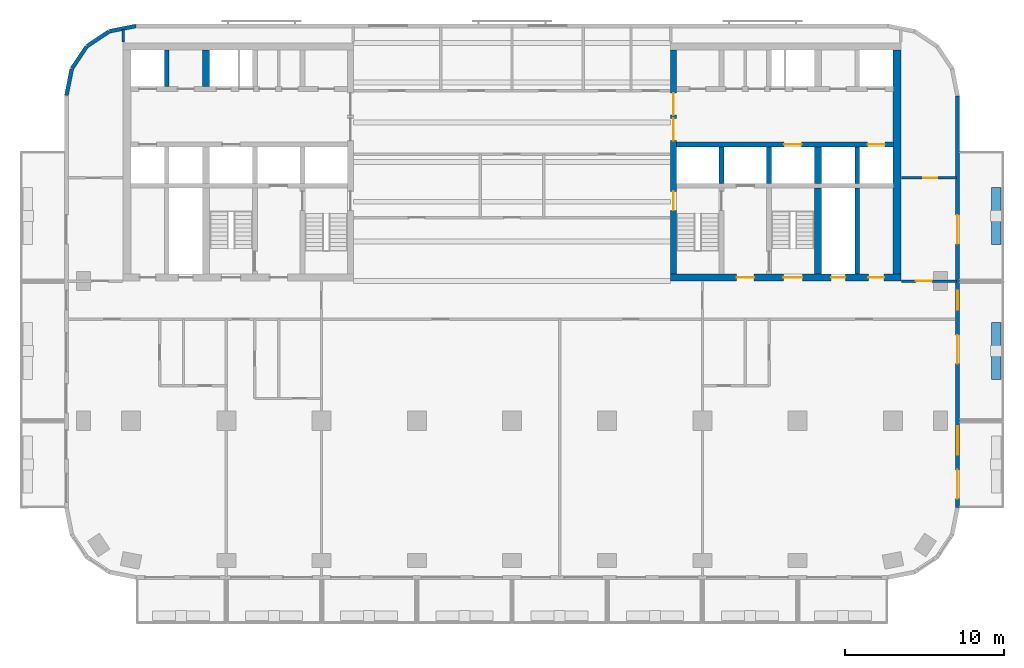
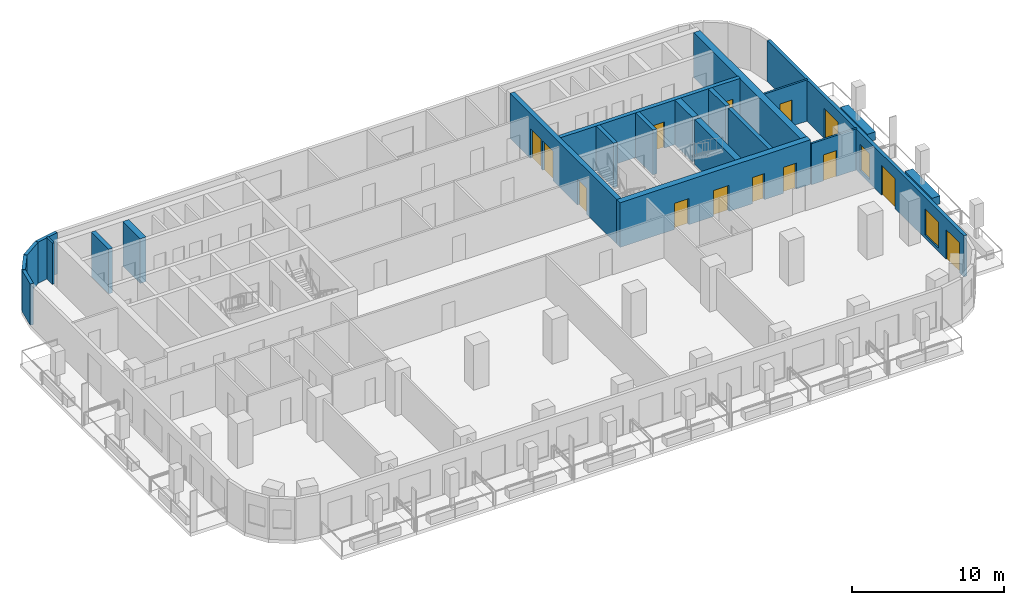
# One storey, part 5 of 11: 22 walls, 14 doors, 2 windows, 16 openings.
"""IFC4 building model written with IfcOpenShell, lengths in metres."""

from ifc_helpers import new_model, si_unit, direction, frame, frame_2d, origin, place, context, subcontext, project, spatial, rectangle, extrude, material, layer, layer_set, type_object, element, fill, save


model = new_model("IFC4")

# Units and contexts
model_context = context("Model", 3, precision=1e-05, world=origin(), true_north=direction((0.0, 1.0)))
body_context = subcontext(model_context, "Body", "Model", "MODEL_VIEW")
ifc_project = project(units=[si_unit("LENGTHUNIT", "METRE"), si_unit("AREAUNIT", "SQUARE_METRE"), si_unit("VOLUMEUNIT", "CUBIC_METRE"), si_unit("PLANEANGLEUNIT", "RADIAN"), si_unit("MASSUNIT", "GRAM", prefix="KILO")], contexts=[model_context])

# Site, building, storey
site_placement = place(None, origin())
site = spatial("IfcSite", under=ifc_project, at=site_placement, CompositionType="ELEMENT")
building_placement = place(site_placement, origin())
building = spatial("IfcBuilding", under=site, at=building_placement, Name="Torana Hotel and Residences", CompositionType="ELEMENT")
storey_placement = place(building_placement, frame((0.0, 0.0, 166.800048828125)))
storey = spatial("IfcBuildingStorey", under=building, at=storey_placement, Name="L43", CompositionType="ELEMENT", Elevation=166.800048828125)

# Wall
ifc_material_1 = material(Name="Concrete C70/85", Category="concrete")
ifc_layer_1 = layer(ifc_material_1, 0.300048828125)
ifc_layer_set_1 = layer_set([ifc_layer_1], Name="CORE WALL 300 C70/85")
wall_type_1 = type_object("IfcWallType", Name="CORE WALL 300 C70/85", PredefinedType="SHEAR", material=ifc_layer_set_1)
wall_1_placement = place(storey_placement, frame((-21.75, -2.75, 0.0), z_axis=(0.0, 0.0, 1.0), x_axis=(0.0, 1.0, 0.0)))
element("IfcWall", 1, at=wall_1_placement, inside=storey, type_object=wall_type_1, Name="Core wall W mm-N", PredefinedType="SHEAR", context=body_context, shape_type="SweptSolid", body=[
    extrude(rectangle(XDim=2.300048828125, YDim=0.300048828125, at=frame_2d((1.14990234375, 0.0))), origin(), (0.0, 0.0, 1.0), 3.599853515625),
])

# Wall, openings, doors
wall_2_placement = place(storey_placement, frame((10.35009765625, -6.39990234375, 0.0), z_axis=(0.0, 0.0, 1.0), x_axis=(1.0, 0.0, 0.0)))
wall_2 = element("IfcWall", 2, at=wall_2_placement, inside=storey, type_object=wall_type_1, Name="Core wall E row-S", PredefinedType="SHEAR", context=body_context, shape_type="SweptSolid", body=[
    extrude(rectangle(XDim=13.699951171875, YDim=0.300048828125, at=frame_2d((6.85009765625, 0.0))), origin(), (0.0, 0.0, 1.0), 3.599853515625),
])
opening_1_placement = place(wall_2_placement, frame((12.050048828125, 0.0, 0.0)))
opening_1 = element("IfcOpeningElement", 3, at=opening_1_placement, cuts=wall_2, Name="Opening LD", PredefinedType="OPENING", context=body_context, shape_type="SweptSolid", body=[
    extrude(rectangle(XDim=1.10009765625, YDim=2.10009765625, at=frame_2d((0.550048828125, 1.050048828125))), frame((0.0, 0.159912109375, 0.0), z_axis=(0.0, -1.0, 0.0), x_axis=(1.0, 0.0, 0.0)), (0.0, 0.0, 1.0), 0.320068359375),
])
opening_2_placement = place(wall_2_placement, frame((6.800048828125, 0.0, 0.0)))
opening_2 = element("IfcOpeningElement", 4, at=opening_2_placement, cuts=wall_2, Name="Opening LD", PredefinedType="OPENING", context=body_context, shape_type="SweptSolid", body=[
    extrude(rectangle(XDim=1.10009765625, YDim=2.10009765625, at=frame_2d((0.550048828125, 1.050048828125))), frame((0.0, 0.159912109375, 0.0), z_axis=(0.0, -1.0, 0.0), x_axis=(1.0, 0.0, 0.0)), (0.0, 0.0, 1.0), 0.320068359375),
])
ifc_material_2 = material(Name="Stainless steel 316", Category="steel")
door_type_1 = type_object("IfcDoorType", Name="LIFT LANDING DOOR LD 1100x2100", OperationType="DOUBLE_DOOR_SLIDING", PredefinedType="USERDEFINED", material=ifc_material_2)
door_1_placement = place(opening_1_placement, origin())
door_1 = element("IfcDoor", 5, at=door_1_placement, inside=storey, type_object=door_type_1, Name="Lift landing door M4 L43", ObjectType="LIFT LANDING DOOR", OperationType="DOUBLE_DOOR_SLIDING", OverallHeight=2.10009765625, OverallWidth=1.10009765625, PredefinedType="USERDEFINED", context=body_context, shape_type="SweptSolid", body=[
    extrude(rectangle(XDim=1.10009765625, YDim=2.10009765625, at=frame_2d((0.550048828125, 1.050048828125))), frame((0.0, 0.02490234375, 0.0), z_axis=(0.0, -1.0, 0.0), x_axis=(1.0, 0.0, 0.0)), (0.0, 0.0, 1.0), 0.050048828125),
])
fill(opening_1, door_1)
door_2_placement = place(opening_2_placement, origin())
door_2 = element("IfcDoor", 6, at=door_2_placement, inside=storey, type_object=door_type_1, Name="Lift landing door SV2 L43", ObjectType="LIFT LANDING DOOR", OperationType="DOUBLE_DOOR_SLIDING", OverallHeight=2.10009765625, OverallWidth=1.10009765625, PredefinedType="USERDEFINED", context=body_context, shape_type="SweptSolid", body=[
    extrude(rectangle(XDim=1.10009765625, YDim=2.10009765625, at=frame_2d((0.550048828125, 1.050048828125))), frame((0.0, 0.02490234375, 0.0), z_axis=(0.0, -1.0, 0.0), x_axis=(1.0, 0.0, 0.0)), (0.0, 0.0, 1.0), 0.050048828125),
])
fill(opening_2, door_2)

# Walls
for number, where, z_axis, x_axis, name in (
    (7, (13.199951171875, -8.85009765625, 0.0), (0.0, 0.0, 1.0), (0.0, 1.0, 0.0), "Core wall E x3.05-S"),
    (8, (16.199951171875, -8.85009765625, 0.0), (0.0, 0.0, 1.0), (0.0, 1.0, 0.0), "Core wall E x6.05-S"),
    (9, (21.75, -8.85009765625, 0.0), (0.0, 0.0, 1.0), (0.0, 1.0, 0.0), "Core wall E mm-S"),
):
    element("IfcWall", number, at=place(storey_placement, frame(where, z_axis=z_axis, x_axis=x_axis)), inside=storey, type_object=wall_type_1, Name=name, PredefinedType="SHEAR", context=body_context, shape_type="SweptSolid", body=[
        extrude(rectangle(XDim=2.300048828125, YDim=0.300048828125, at=frame_2d((1.14990234375, 0.0))), origin(), (0.0, 0.0, 1.0), 3.599853515625),
    ])
wall_3_placement = place(storey_placement, frame((21.75, -14.550048828125, 0.0), z_axis=(0.0, 0.0, 1.0), x_axis=(0.0, 1.0, 0.0)))
element("IfcWall", 10, at=wall_3_placement, inside=storey, type_object=wall_type_1, Name="Core wall E mm-band", PredefinedType="SHEAR", context=body_context, shape_type="SweptSolid", body=[
    extrude(rectangle(XDim=5.400146484375, YDim=0.300048828125, at=frame_2d((2.7001953125, 0.0))), origin(), (0.0, 0.0, 1.0), 3.599853515625),
])

# Wall, openings, doors
ifc_material_3 = material(Name="Concrete C70/85", Category="concrete")
ifc_layer_2 = layer(ifc_material_3, 0.35009765625)
ifc_layer_set_2 = layer_set([ifc_layer_2], Name="CORE WALL 350 C70/85")
wall_type_2 = type_object("IfcWallType", Name="CORE WALL 350 C70/85", PredefinedType="SHEAR", material=ifc_layer_set_2)
wall_4_placement = place(storey_placement, frame((10.175048828125, -14.550048828125, 0.0), z_axis=(0.0, 0.0, 1.0), x_axis=(0.0, 1.0, 0.0)))
wall_4 = element("IfcWall", 11, at=wall_4_placement, inside=storey, type_object=wall_type_2, Name="Core wall E arch", PredefinedType="SHEAR", context=body_context, shape_type="SweptSolid", body=[
    extrude(rectangle(XDim=14.10009765625, YDim=0.35009765625, at=frame_2d((7.050048828125, 0.0))), origin(), (0.0, 0.0, 1.0), 3.599853515625),
])
opening_3_placement = place(wall_4_placement, frame((8.39990234375, 0.0, 0.0)))
opening_3 = element("IfcOpeningElement", 12, at=opening_3_placement, cuts=wall_4, Name="Opening L43-16", PredefinedType="OPENING", context=body_context, shape_type="SweptSolid", body=[
    extrude(rectangle(XDim=1.39990234375, YDim=2.39990234375, at=frame_2d((0.699951171875, 1.199951171875))), frame((0.0, 0.18505859375, 0.0), z_axis=(0.0, -1.0, 0.0), x_axis=(1.0, 0.0, 0.0)), (0.0, 0.0, 1.0), 0.3701171875),
])
opening_4_placement = place(wall_4_placement, frame((10.0, 0.0, 0.0)))
opening_4 = element("IfcOpeningElement", 13, at=opening_4_placement, cuts=wall_4, Name="Opening L43-17", PredefinedType="OPENING", context=body_context, shape_type="SweptSolid", body=[
    extrude(rectangle(XDim=1.39990234375, YDim=2.39990234375, at=frame_2d((0.699951171875, 1.199951171875))), frame((0.0, 0.18505859375, 0.0), z_axis=(0.0, -1.0, 0.0), x_axis=(1.0, 0.0, 0.0)), (0.0, 0.0, 1.0), 0.3701171875),
])
opening_5_placement = place(wall_4_placement, frame((4.0, 0.0, 0.0)))
opening_5 = element("IfcOpeningElement", 14, at=opening_5_placement, cuts=wall_4, Name="Opening L43-18", PredefinedType="OPENING", context=body_context, shape_type="SweptSolid", body=[
    extrude(rectangle(XDim=1.199951171875, YDim=2.10009765625, at=frame_2d((0.60009765625, 1.050048828125))), frame((0.0, 0.18505859375, 0.0), z_axis=(0.0, -1.0, 0.0), x_axis=(1.0, 0.0, 0.0)), (0.0, 0.0, 1.0), 0.3701171875),
])
ifc_material_4 = material(Name="Steel S235", Category="steel")
door_type_2 = type_object("IfcDoorType", Name="LOBBY FIRE DOOR D4 1400x2400", OperationType="DOUBLE_DOOR_SINGLE_SWING", PredefinedType="DOOR", material=ifc_material_4)
door_3_placement = place(opening_3_placement, origin())
door_3 = element("IfcDoor", 15, at=door_3_placement, inside=storey, type_object=door_type_2, Name="Lobby-1 door L43", OperationType="DOUBLE_DOOR_SINGLE_SWING", OverallHeight=2.39990234375, OverallWidth=1.39990234375, PredefinedType="DOOR", context=body_context, shape_type="SweptSolid", body=[
    extrude(rectangle(XDim=1.39990234375, YDim=2.39990234375, at=frame_2d((0.699951171875, 1.199951171875))), frame((0.0, 0.02490234375, 0.0), z_axis=(0.0, -1.0, 0.0), x_axis=(1.0, 0.0, 0.0)), (0.0, 0.0, 1.0), 0.050048828125),
])
fill(opening_3, door_3)
door_4_placement = place(opening_4_placement, origin())
door_4 = element("IfcDoor", 16, at=door_4_placement, inside=storey, type_object=door_type_2, Name="Lobby-2 door L43", OperationType="DOUBLE_DOOR_SINGLE_SWING", OverallHeight=2.39990234375, OverallWidth=1.39990234375, PredefinedType="DOOR", context=body_context, shape_type="SweptSolid", body=[
    extrude(rectangle(XDim=1.39990234375, YDim=2.39990234375, at=frame_2d((0.699951171875, 1.199951171875))), frame((0.0, 0.02490234375, 0.0), z_axis=(0.0, -1.0, 0.0), x_axis=(1.0, 0.0, 0.0)), (0.0, 0.0, 1.0), 0.050048828125),
])
fill(opening_4, door_4)
ifc_material_5 = material(Name="Steel S235", Category="steel")
door_type_3 = type_object("IfcDoorType", Name="STAIR FIRE DOOR D3 1200x2100", OperationType="SINGLE_SWING_LEFT", PredefinedType="DOOR", material=ifc_material_5)
door_5_placement = place(opening_5_placement, frame((0.60009765625, 0.0, 0.0), z_axis=(0.0, 0.0, 1.0), x_axis=(-1.0, 0.0, 0.0)))
door_5 = element("IfcDoor", 17, at=door_5_placement, inside=storey, type_object=door_type_3, Name="Stair-A door L43", OperationType="SINGLE_SWING_RIGHT", OverallHeight=2.10009765625, OverallWidth=1.199951171875, PredefinedType="DOOR", context=body_context, shape_type="SweptSolid", body=[
    extrude(rectangle(XDim=1.199951171875, YDim=2.10009765625, at=frame_2d((0.0, 1.050048828125))), frame((0.0, -0.02490234375, 0.0), z_axis=(0.0, 1.0, 0.0), x_axis=(-1.0, 0.0, 0.0)), (0.0, 0.0, 1.0), 0.050048828125),
])
fill(opening_5, door_5)

# Wall
ifc_material_6 = material(Name="Concrete C70/85", Category="concrete")
ifc_layer_3 = layer(ifc_material_6, 0.449951171875)
ifc_layer_set_3 = layer_set([ifc_layer_3], Name="CORE WALL 450 C70/85")
wall_type_3 = type_object("IfcWallType", Name="CORE WALL 450 C70/85", PredefinedType="SHEAR", material=ifc_layer_set_3)
wall_5_placement = place(storey_placement, frame((-19.27490234375, -2.75, 0.0), z_axis=(0.0, 0.0, 1.0), x_axis=(0.0, 1.0, 0.0)))
element("IfcWall", 18, at=wall_5_placement, inside=storey, type_object=wall_type_3, Name="Core wall W hm-N", PredefinedType="SHEAR", context=body_context, shape_type="SweptSolid", body=[
    extrude(rectangle(XDim=2.300048828125, YDim=0.449951171875, at=frame_2d((1.14990234375, 0.0))), origin(), (0.0, 0.0, 1.0), 3.599853515625),
])

# Wall, openings, doors
wall_6_placement = place(storey_placement, frame((10.0, -14.77490234375, 0.0), z_axis=(0.0, 0.0, 1.0), x_axis=(1.0, 0.0, 0.0)))
wall_6 = element("IfcWall", 19, at=wall_6_placement, inside=storey, type_object=wall_type_3, Name="Core wall E front", PredefinedType="SHEAR", context=body_context, shape_type="SweptSolid", body=[
    extrude(rectangle(XDim=14.5, YDim=0.449951171875, at=frame_2d((7.25, 0.0))), origin(), (0.0, 0.0, 1.0), 3.599853515625),
])
opening_6_placement = place(wall_6_placement, frame((7.10009765625, 0.0, 0.0)))
opening_6 = element("IfcOpeningElement", 20, at=opening_6_placement, cuts=wall_6, Name="Opening L43-19", PredefinedType="OPENING", context=body_context, shape_type="SweptSolid", body=[
    extrude(rectangle(XDim=1.199951171875, YDim=2.10009765625, at=frame_2d((0.60009765625, 1.050048828125))), frame((0.0, 0.23486328125, 0.0), z_axis=(0.0, -1.0, 0.0), x_axis=(1.0, 0.0, 0.0)), (0.0, 0.0, 1.0), 0.469970703125),
])
opening_7_placement = place(wall_6_placement, frame((4.14990234375, 0.0, 0.0)))
opening_7 = element("IfcOpeningElement", 21, at=opening_7_placement, cuts=wall_6, Name="Opening L43-20", PredefinedType="OPENING", context=body_context, shape_type="SweptSolid", body=[
    extrude(rectangle(XDim=1.10009765625, YDim=2.10009765625, at=frame_2d((0.550048828125, 1.050048828125))), frame((0.0, 0.23486328125, 0.0), z_axis=(0.0, -1.0, 0.0), x_axis=(1.0, 0.0, 0.0)), (0.0, 0.0, 1.0), 0.469970703125),
])
opening_8_placement = place(wall_6_placement, frame((10.10009765625, 0.0, 0.0)))
opening_8 = element("IfcOpeningElement", 22, at=opening_8_placement, cuts=wall_6, Name="Opening L43-21", PredefinedType="OPENING", context=body_context, shape_type="SweptSolid", body=[
    extrude(rectangle(XDim=0.89990234375, YDim=2.10009765625, at=frame_2d((0.449951171875, 1.050048828125))), frame((0.0, 0.23486328125, 0.0), z_axis=(0.0, -1.0, 0.0), x_axis=(1.0, 0.0, 0.0)), (0.0, 0.0, 1.0), 0.469970703125),
])
opening_9_placement = place(wall_6_placement, frame((12.449951171875, 0.0, 0.0)))
opening_9 = element("IfcOpeningElement", 23, at=opening_9_placement, cuts=wall_6, Name="Opening L43-22", PredefinedType="OPENING", context=body_context, shape_type="SweptSolid", body=[
    extrude(rectangle(XDim=1.0, YDim=2.10009765625, at=frame_2d((0.5, 1.050048828125))), frame((0.0, 0.23486328125, 0.0), z_axis=(0.0, -1.0, 0.0), x_axis=(1.0, 0.0, 0.0)), (0.0, 0.0, 1.0), 0.469970703125),
])
ifc_material_7 = material(Name="Steel S235", Category="steel")
door_type_4 = type_object("IfcDoorType", Name="CORE ROOM FIRE DOOR D14 1000x2100", OperationType="SINGLE_SWING_LEFT", PredefinedType="DOOR", material=ifc_material_7)
door_6_placement = place(opening_9_placement, origin())
door_6 = element("IfcDoor", 24, at=door_6_placement, inside=storey, type_object=door_type_4, Name="M-Room door L43", OperationType="SINGLE_SWING_RIGHT", OverallHeight=2.10009765625, OverallWidth=1.0, PredefinedType="DOOR", context=body_context, shape_type="SweptSolid", body=[
    extrude(rectangle(XDim=1.0, YDim=2.10009765625, at=frame_2d((0.5, 1.050048828125))), frame((0.0, 0.02490234375, 0.0), z_axis=(0.0, -1.0, 0.0), x_axis=(1.0, 0.0, 0.0)), (0.0, 0.0, 1.0), 0.050048828125),
])
fill(opening_9, door_6)
ifc_material_8 = material(Name="Steel S235", Category="steel")
door_type_5 = type_object("IfcDoorType", Name="FIRE-FIGHTING LOBBY DOOR D8 1100x2100", OperationType="SINGLE_SWING_LEFT", PredefinedType="DOOR", material=ifc_material_8)
door_7_placement = place(opening_7_placement, origin())
door_7 = element("IfcDoor", 25, at=door_7_placement, inside=storey, type_object=door_type_5, Name="FF-lobby door L43", OperationType="SINGLE_SWING_RIGHT", OverallHeight=2.10009765625, OverallWidth=1.10009765625, PredefinedType="DOOR", context=body_context, shape_type="SweptSolid", body=[
    extrude(rectangle(XDim=1.10009765625, YDim=2.10009765625, at=frame_2d((0.550048828125, 1.050048828125))), frame((0.0, 0.02490234375, 0.0), z_axis=(0.0, -1.0, 0.0), x_axis=(1.0, 0.0, 0.0)), (0.0, 0.0, 1.0), 0.050048828125),
])
fill(opening_7, door_7)
ifc_material_9 = material(Name="Steel S235", Category="steel")
door_type_6 = type_object("IfcDoorType", Name="RISER ACCESS DOOR D5 900x2100", OperationType="SINGLE_SWING_LEFT", PredefinedType="DOOR", material=ifc_material_9)
door_8_placement = place(opening_8_placement, origin())
door_8 = element("IfcDoor", 26, at=door_8_placement, inside=storey, type_object=door_type_6, Name="M-Riser door L43", OperationType="SINGLE_SWING_RIGHT", OverallHeight=2.10009765625, OverallWidth=0.89990234375, PredefinedType="DOOR", context=body_context, shape_type="SweptSolid", body=[
    extrude(rectangle(XDim=0.89990234375, YDim=2.10009765625, at=frame_2d((0.449951171875, 1.050048828125))), frame((0.0, 0.02490234375, 0.0), z_axis=(0.0, -1.0, 0.0), x_axis=(1.0, 0.0, 0.0)), (0.0, 0.0, 1.0), 0.050048828125),
])
fill(opening_8, door_8)
door_9_placement = place(opening_6_placement, origin())
door_9 = element("IfcDoor", 27, at=door_9_placement, inside=storey, type_object=door_type_3, Name="Stair-B door L43", OperationType="SINGLE_SWING_RIGHT", OverallHeight=2.10009765625, OverallWidth=1.199951171875, PredefinedType="DOOR", context=body_context, shape_type="SweptSolid", body=[
    extrude(rectangle(XDim=1.199951171875, YDim=2.10009765625, at=frame_2d((0.60009765625, 1.050048828125))), frame((0.0, 0.02490234375, 0.0), z_axis=(0.0, -1.0, 0.0), x_axis=(1.0, 0.0, 0.0)), (0.0, 0.0, 1.0), 0.050048828125),
])
fill(opening_6, door_9)

# Walls
wall_7_placement = place(storey_placement, frame((19.27490234375, -8.85009765625, 0.0), z_axis=(0.0, 0.0, 1.0), x_axis=(0.0, 1.0, 0.0)))
element("IfcWall", 28, at=wall_7_placement, inside=storey, type_object=wall_type_3, Name="Core wall E hm-S", PredefinedType="SHEAR", context=body_context, shape_type="SweptSolid", body=[
    extrude(rectangle(XDim=2.300048828125, YDim=0.449951171875, at=frame_2d((1.14990234375, 0.0))), origin(), (0.0, 0.0, 1.0), 3.599853515625),
])
wall_8_placement = place(storey_placement, frame((19.27490234375, -14.550048828125, 0.0), z_axis=(0.0, 0.0, 1.0), x_axis=(0.0, 1.0, 0.0)))
element("IfcWall", 29, at=wall_8_placement, inside=storey, type_object=wall_type_3, Name="Core wall E hm-band", PredefinedType="SHEAR", context=body_context, shape_type="SweptSolid", body=[
    extrude(rectangle(XDim=5.400146484375, YDim=0.449951171875, at=frame_2d((2.7001953125, 0.0))), origin(), (0.0, 0.0, 1.0), 3.599853515625),
])
ifc_material_10 = material(Name="Concrete C70/85", Category="concrete")
ifc_layer_4 = layer(ifc_material_10, 0.5)
ifc_layer_set_4 = layer_set([ifc_layer_4], Name="CORE WALL 500 C70/85")
wall_type_4 = type_object("IfcWallType", Name="CORE WALL 500 C70/85", PredefinedType="SHEAR", material=ifc_layer_set_4)
wall_9_placement = place(storey_placement, frame((24.25, -14.550048828125, 0.0), z_axis=(0.0, 0.0, 1.0), x_axis=(0.0, 1.0, 0.0)))
element("IfcWall", 30, at=wall_9_placement, inside=storey, type_object=wall_type_4, Name="Core wall E outer", PredefinedType="SHEAR", context=body_context, shape_type="SweptSolid", body=[
    extrude(rectangle(XDim=14.10009765625, YDim=0.5, at=frame_2d((7.050048828125, 0.0))), origin(), (0.0, 0.0, 1.0), 3.599853515625),
])
ifc_material_11 = material(Name="Black aluminium composite panel", Category="aluminium")
ifc_layer_5 = layer(ifc_material_11, 0.00390625, Name="Cladding", Category="cladding")
ifc_material_12 = material(Name="Ventilated air cavity")
ifc_layer_6 = layer(ifc_material_12, 0.0400390625, Name="Ventilated cavity", Category="cavity")
ifc_material_13 = material(Name="Mineral wool insulation")
ifc_layer_7 = layer(ifc_material_13, 0.090087890625, Name="Insulation", Category="insulation")
ifc_material_14 = material(Name="Steel S280GD", Category="steel")
ifc_layer_8 = layer(ifc_material_14, 0.092041015625, Name="Steel stud frame", Category="structure")
ifc_material_15 = material(Name="Fire rated plasterboard")
ifc_layer_9 = layer(ifc_material_15, 0.011962890625, Name="Inner board", Category="finish")
ifc_layer_10 = layer(ifc_material_15, 0.011962890625, Name="Second board", Category="finish")
ifc_layer_set_5 = layer_set([ifc_layer_5, ifc_layer_6, ifc_layer_7, ifc_layer_8, ifc_layer_9, ifc_layer_10], Name="EW1 EXTERNAL WALL BLACK METAL CLAD 250")
wall_type_5 = type_object("IfcWallType", Name="EW1 EXTERNAL WALL BLACK METAL CLAD 250", PredefinedType="SOLIDWALL", material=ifc_layer_set_5)
wall_10_placement = place(storey_placement, frame((-23.69970703125, 1.072509765625, 0.0), z_axis=(0.0, 0.0, 1.0), x_axis=(-0.980803419081, -0.194999110559, 0.0)))
element("IfcWall", 31, at=wall_10_placement, inside=storey, type_object=wall_type_5, Name="External wall L43 e0.5", PredefinedType="SOLIDWALL", context=body_context, shape_type="SweptSolid", body=[
    extrude(rectangle(XDim=1.681396484375, YDim=0.25, at=frame_2d((0.8408203125, 0.0))), origin(), (0.0, 0.0, 1.0), 3.320068359375),
])
for number, where, z_axis, x_axis, name in (
    (32, (-25.39404296875, 0.725830078125, 0.0), (0.0, 0.0, 1.0), (-0.831482937015, -0.55555029066, 0.0), "External wall L43 e0.6"),
    (33, (-26.8056640625, -0.228759765625, 0.0), (0.0, 0.0, 1.0), (-0.55555029066, -0.831482937015, 0.0), "External wall L43 e0.7"),
):
    element("IfcWall", number, at=place(storey_placement, frame(where, z_axis=z_axis, x_axis=x_axis)), inside=storey, type_object=wall_type_5, Name=name, PredefinedType="SOLIDWALL", context=body_context, shape_type="SweptSolid", body=[
        extrude(rectangle(XDim=1.65625, YDim=0.25, at=frame_2d((0.828125, 0.0))), origin(), (0.0, 0.0, 1.0), 3.320068359375),
    ])
wall_11_placement = place(storey_placement, frame((-27.74462890625, -1.651123046875, 0.0), z_axis=(0.0, 0.0, 1.0), x_axis=(-0.194999110559, -0.980803419081, 0.0)))
element("IfcWall", 34, at=wall_11_placement, inside=storey, type_object=wall_type_5, Name="External wall L43 e0.8", PredefinedType="SOLIDWALL", context=body_context, shape_type="SweptSolid", body=[
    extrude(rectangle(XDim=1.681396484375, YDim=0.25, at=frame_2d((0.8408203125, 0.0))), origin(), (0.0, 0.0, 1.0), 3.320068359375),
])

# Wall, openings, doors, windows
wall_12_placement = place(storey_placement, frame((28.074951171875, -29.275390625, 0.0), z_axis=(0.0, 0.0, 1.0), x_axis=(0.0, 1.0, 0.0)))
wall_12 = element("IfcWall", 35, at=wall_12_placement, inside=storey, type_object=wall_type_5, Name="External wall L43 e0.19", PredefinedType="SOLIDWALL", context=body_context, shape_type="SweptSolid", body=[
    extrude(rectangle(XDim=25.95068359375, YDim=0.25, at=frame_2d((12.975341796875, 0.0))), origin(), (0.0, 0.0, 1.0), 3.320068359375),
])
opening_10_placement = place(wall_12_placement, frame((0.575439453125, 0.0, 0.0)))
opening_10 = element("IfcOpeningElement", 36, at=opening_10_placement, cuts=wall_12, Name="Opening L43-E09", PredefinedType="OPENING", context=body_context, shape_type="SweptSolid", body=[
    extrude(rectangle(XDim=1.800048828125, YDim=2.39990234375, at=frame_2d((0.89990234375, 1.199951171875))), frame((0.0, 0.135009765625, 0.0), z_axis=(0.0, -1.0, 0.0), x_axis=(1.0, 0.0, 0.0)), (0.0, 0.0, 1.0), 0.27001953125),
])
opening_11_placement = place(wall_12_placement, frame((3.325439453125, 0.0, 0.300048828125)))
opening_11 = element("IfcOpeningElement", 37, at=opening_11_placement, cuts=wall_12, Name="Opening W2", PredefinedType="OPENING", context=body_context, shape_type="SweptSolid", body=[
    extrude(rectangle(XDim=1.800048828125, YDim=2.10009765625, at=frame_2d((0.89990234375, 1.050048828125))), frame((0.0, 0.135009765625, 0.0), z_axis=(0.0, -1.0, 0.0), x_axis=(1.0, 0.0, 0.0)), (0.0, 0.0, 1.0), 0.27001953125),
])
opening_12_placement = place(wall_12_placement, frame((9.075439453125, 0.0, 0.0)))
opening_12 = element("IfcOpeningElement", 38, at=opening_12_placement, cuts=wall_12, Name="Opening L43-E10", PredefinedType="OPENING", context=body_context, shape_type="SweptSolid", body=[
    extrude(rectangle(XDim=1.800048828125, YDim=2.39990234375, at=frame_2d((0.89990234375, 1.199951171875))), frame((0.0, 0.135009765625, 0.0), z_axis=(0.0, -1.0, 0.0), x_axis=(1.0, 0.0, 0.0)), (0.0, 0.0, 1.0), 0.27001953125),
])
opening_13_placement = place(wall_12_placement, frame((12.475341796875, 0.0, 0.300048828125)))
opening_13 = element("IfcOpeningElement", 39, at=opening_13_placement, cuts=wall_12, Name="Opening W7", PredefinedType="OPENING", context=body_context, shape_type="SweptSolid", body=[
    extrude(rectangle(XDim=1.199951171875, YDim=2.10009765625, at=frame_2d((0.60009765625, 1.050048828125))), frame((0.0, 0.135009765625, 0.0), z_axis=(0.0, -1.0, 0.0), x_axis=(1.0, 0.0, 0.0)), (0.0, 0.0, 1.0), 0.27001953125),
])
opening_14_placement = place(wall_12_placement, frame((16.62548828125, 0.0, 0.0)))
opening_14 = element("IfcOpeningElement", 40, at=opening_14_placement, cuts=wall_12, Name="Opening L43-E11", PredefinedType="OPENING", context=body_context, shape_type="SweptSolid", body=[
    extrude(rectangle(XDim=1.800048828125, YDim=2.39990234375, at=frame_2d((0.89990234375, 1.199951171875))), frame((0.0, 0.135009765625, 0.0), z_axis=(0.0, -1.0, 0.0), x_axis=(1.0, 0.0, 0.0)), (0.0, 0.0, 1.0), 0.27001953125),
])
ifc_material_16 = material(Name="Dark glass in black aluminium frame", Category="aluminium")
door_type_7 = type_object("IfcDoorType", Name="DB1 BALCONY DOOR 1800x2400", OperationType="DOUBLE_DOOR_SINGLE_SWING", PredefinedType="DOOR", material=ifc_material_16)
door_10_placement = place(opening_10_placement, origin())
door_10 = element("IfcDoor", 41, at=door_10_placement, inside=storey, type_object=door_type_7, Name="Balcony door L43", OperationType="DOUBLE_DOOR_SINGLE_SWING", OverallHeight=2.39990234375, OverallWidth=1.800048828125, PredefinedType="DOOR", context=body_context, shape_type="SweptSolid", body=[
    extrude(rectangle(XDim=1.800048828125, YDim=2.39990234375, at=frame_2d((0.89990234375, 1.199951171875))), frame((0.0, 0.02490234375, 0.0), z_axis=(0.0, -1.0, 0.0), x_axis=(1.0, 0.0, 0.0)), (0.0, 0.0, 1.0), 0.050048828125),
])
fill(opening_10, door_10)
door_11_placement = place(opening_12_placement, origin())
door_11 = element("IfcDoor", 42, at=door_11_placement, inside=storey, type_object=door_type_7, Name="Balcony door L43", OperationType="DOUBLE_DOOR_SINGLE_SWING", OverallHeight=2.39990234375, OverallWidth=1.800048828125, PredefinedType="DOOR", context=body_context, shape_type="SweptSolid", body=[
    extrude(rectangle(XDim=1.800048828125, YDim=2.39990234375, at=frame_2d((0.89990234375, 1.199951171875))), frame((0.0, 0.02490234375, 0.0), z_axis=(0.0, -1.0, 0.0), x_axis=(1.0, 0.0, 0.0)), (0.0, 0.0, 1.0), 0.050048828125),
])
fill(opening_12, door_11)
door_12_placement = place(opening_14_placement, origin())
door_12 = element("IfcDoor", 43, at=door_12_placement, inside=storey, type_object=door_type_7, Name="Balcony door L43", OperationType="DOUBLE_DOOR_SINGLE_SWING", OverallHeight=2.39990234375, OverallWidth=1.800048828125, PredefinedType="DOOR", context=body_context, shape_type="SweptSolid", body=[
    extrude(rectangle(XDim=1.800048828125, YDim=2.39990234375, at=frame_2d((0.89990234375, 1.199951171875))), frame((0.0, 0.02490234375, 0.0), z_axis=(0.0, -1.0, 0.0), x_axis=(1.0, 0.0, 0.0)), (0.0, 0.0, 1.0), 0.050048828125),
])
fill(opening_14, door_12)
ifc_material_17 = material(Name="Dark glass in black aluminium frame", Category="aluminium")
window_type_1 = type_object("IfcWindowType", Name="W2 HOTEL ROOM WINDOW NARROW 1800x2100", PartitioningType="SINGLE_PANEL", PredefinedType="WINDOW", material=ifc_material_17)
window_1_placement = place(opening_11_placement, origin())
window_1 = element("IfcWindow", 44, at=window_1_placement, inside=storey, type_object=window_type_1, Name="Window L43", OverallHeight=2.10009765625, OverallWidth=1.800048828125, PartitioningType="SINGLE_PANEL", PredefinedType="WINDOW", context=body_context, shape_type="SweptSolid", body=[
    extrude(rectangle(XDim=1.800048828125, YDim=2.10009765625, at=frame_2d((0.89990234375, 1.050048828125))), frame((0.0, 0.030029296875, 0.0), z_axis=(0.0, -1.0, 0.0), x_axis=(1.0, 0.0, 0.0)), (0.0, 0.0, 1.0), 0.06005859375),
])
fill(opening_11, window_1)
ifc_material_18 = material(Name="Dark glass in black aluminium frame", Category="aluminium")
window_type_2 = type_object("IfcWindowType", Name="W7 HOTEL CORRIDOR WINDOW 1200x2100", PartitioningType="SINGLE_PANEL", PredefinedType="WINDOW", material=ifc_material_18)
window_2_placement = place(opening_13_placement, origin())
window_2 = element("IfcWindow", 45, at=window_2_placement, inside=storey, type_object=window_type_2, Name="Window L43", OverallHeight=2.10009765625, OverallWidth=1.199951171875, PartitioningType="SINGLE_PANEL", PredefinedType="WINDOW", context=body_context, shape_type="SweptSolid", body=[
    extrude(rectangle(XDim=1.199951171875, YDim=2.10009765625, at=frame_2d((0.60009765625, 1.050048828125))), frame((0.0, 0.030029296875, 0.0), z_axis=(0.0, -1.0, 0.0), x_axis=(1.0, 0.0, 0.0)), (0.0, 0.0, 1.0), 0.06005859375),
])
fill(opening_13, window_2)

# Wall, opening, door
ifc_material_19 = material(Name="Gypsum plaster")
ifc_layer_11 = layer(ifc_material_19, 0.014892578125, Name="Plaster", Category="finish")
ifc_material_20 = material(Name="Concrete blockwork", Category="masonry")
ifc_layer_12 = layer(ifc_material_20, 0.1201171875, Name="Blockwork", Category="structure")
ifc_layer_13 = layer(ifc_material_19, 0.014892578125, Name="Plaster", Category="finish")
ifc_layer_set_6 = layer_set([ifc_layer_11, ifc_layer_12, ifc_layer_13], Name="FIRE PARTITION 150 BLOCKWORK")
wall_type_6 = type_object("IfcWallType", Name="FIRE PARTITION 150 BLOCKWORK", PredefinedType="PARTITIONING", material=ifc_layer_set_6)
wall_13_placement = place(storey_placement, frame((24.550048828125, -15.0, 0.0), z_axis=(0.0, 0.0, 1.0), x_axis=(1.0, 0.0, 0.0)))
wall_13 = element("IfcWall", 46, at=wall_13_placement, inside=storey, type_object=wall_type_6, Name="Partition L43", PredefinedType="PARTITIONING", context=body_context, shape_type="SweptSolid", body=[
    extrude(rectangle(XDim=3.469970703125, YDim=0.14990234375, at=frame_2d((1.73486328125, 0.0))), origin(), (0.0, 0.0, 1.0), 3.320068359375),
])
opening_15_placement = place(wall_13_placement, frame((0.89990234375, 0.0, 0.0)))
opening_15 = element("IfcOpeningElement", 47, at=opening_15_placement, cuts=wall_13, Name="Opening L43-37", PredefinedType="OPENING", context=body_context, shape_type="SweptSolid", body=[
    extrude(rectangle(XDim=1.0, YDim=2.10009765625, at=frame_2d((0.5, 1.050048828125))), frame((0.0, 0.0849609375, 0.0), z_axis=(0.0, -1.0, 0.0), x_axis=(1.0, 0.0, 0.0)), (0.0, 0.0, 1.0), 0.169921875),
])
door_13_placement = place(opening_15_placement, origin())
door_13 = element("IfcDoor", 48, at=door_13_placement, inside=storey, type_object=door_type_4, Name="Door L43", OperationType="SINGLE_SWING_LEFT", OverallHeight=2.10009765625, OverallWidth=1.0, PredefinedType="DOOR", context=body_context, shape_type="SweptSolid", body=[
    extrude(rectangle(XDim=1.0, YDim=2.10009765625, at=frame_2d((0.5, 1.050048828125))), frame((0.0, 0.02490234375, 0.0), z_axis=(0.0, -1.0, 0.0), x_axis=(1.0, 0.0, 0.0)), (0.0, 0.0, 1.0), 0.050048828125),
])
fill(opening_15, door_13)

# Wall
ifc_material_21 = material(Name="Gypsum plasterboard")
ifc_layer_14 = layer(ifc_material_21, 0.012451171875, Name="Plasterboard", Category="finish")
ifc_layer_15 = layer(ifc_material_21, 0.012451171875, Name="Plasterboard", Category="finish")
ifc_layer_16 = layer(ifc_material_14, 0.10009765625, Name="Steel studs with mineral wool", Category="insulation")
ifc_layer_17 = layer(ifc_material_21, 0.012451171875, Name="Plasterboard", Category="finish")
ifc_layer_18 = layer(ifc_material_21, 0.012451171875, Name="Plasterboard", Category="finish")
ifc_layer_set_7 = layer_set([ifc_layer_14, ifc_layer_15, ifc_layer_16, ifc_layer_17, ifc_layer_18], Name="PARTITION 150 PLASTERBOARD")
wall_type_7 = type_object("IfcWallType", Name="PARTITION 150 PLASTERBOARD", PredefinedType="PARTITIONING", material=ifc_layer_set_7)
wall_14_placement = place(storey_placement, frame((-24.5, 0.050048828125, 0.0), z_axis=(0.0, 0.0, 1.0), x_axis=(0.0, 1.0, 0.0)))
element("IfcWall", 49, at=wall_14_placement, inside=storey, type_object=wall_type_7, Name="Partition L43", PredefinedType="PARTITIONING", context=body_context, shape_type="SweptSolid", body=[
    extrude(rectangle(XDim=0.807373046875, YDim=0.14990234375, at=frame_2d((0.40380859375, 0.0))), origin(), (0.0, 0.0, 1.0), 3.320068359375),
])

# Wall, opening, door
wall_15_placement = place(storey_placement, frame((24.550048828125, -8.5, 0.0), z_axis=(0.0, 0.0, 1.0), x_axis=(1.0, 0.0, 0.0)))
wall_15 = element("IfcWall", 50, at=wall_15_placement, inside=storey, type_object=wall_type_7, Name="Partition L43", PredefinedType="PARTITIONING", context=body_context, shape_type="SweptSolid", body=[
    extrude(rectangle(XDim=3.469970703125, YDim=0.14990234375, at=frame_2d((1.73486328125, 0.0))), origin(), (0.0, 0.0, 1.0), 3.320068359375),
])
opening_16_placement = place(wall_15_placement, frame((1.35009765625, 0.0, 0.0)))
opening_16 = element("IfcOpeningElement", 51, at=opening_16_placement, cuts=wall_15, Name="Opening L43-56", PredefinedType="OPENING", context=body_context, shape_type="SweptSolid", body=[
    extrude(rectangle(XDim=0.89990234375, YDim=2.10009765625, at=frame_2d((0.449951171875, 1.050048828125))), frame((0.0, 0.0849609375, 0.0), z_axis=(0.0, -1.0, 0.0), x_axis=(1.0, 0.0, 0.0)), (0.0, 0.0, 1.0), 0.169921875),
])
ifc_material_22 = material(Name="Timber door, oiled ash", Category="wood")
door_type_8 = type_object("IfcDoorType", Name="ROOM DOOR D7 900x2100", OperationType="SINGLE_SWING_LEFT", PredefinedType="DOOR", material=ifc_material_22)
door_14_placement = place(opening_16_placement, origin())
door_14 = element("IfcDoor", 52, at=door_14_placement, inside=storey, type_object=door_type_8, Name="Door L43", OperationType="SINGLE_SWING_LEFT", OverallHeight=2.10009765625, OverallWidth=0.89990234375, PredefinedType="DOOR", context=body_context, shape_type="SweptSolid", body=[
    extrude(rectangle(XDim=0.89990234375, YDim=2.10009765625, at=frame_2d((0.449951171875, 1.050048828125))), frame((0.0, 0.02490234375, 0.0), z_axis=(0.0, -1.0, 0.0), x_axis=(1.0, 0.0, 0.0)), (0.0, 0.0, 1.0), 0.050048828125),
])
fill(opening_16, door_14)

# Walls
ifc_material_23 = material(Name="Concrete C40/50 precast", Category="concrete")
ifc_layer_19 = layer(ifc_material_23, 0.10009765625, Name="Planter shell", Category="structure")
ifc_material_24 = material(Name="Root resistant membrane")
ifc_layer_20 = layer(ifc_material_24, 0.00390625, Name="Waterproofing membrane", Category="membrane")
ifc_material_25 = material(Name="Drainage board with filter fleece")
ifc_layer_21 = layer(ifc_material_25, 0.02001953125, Name="Drainage board", Category="drainage")
ifc_material_26 = material(Name="Growing medium")
ifc_layer_22 = layer(ifc_material_26, 0.47607421875, Name="Planting substrate", Category="soil")
ifc_layer_set_8 = layer_set([ifc_layer_19, ifc_layer_20, ifc_layer_21, ifc_layer_22], Name="PL1 BALCONY PLANTER 600")
wall_type_8 = type_object("IfcWallType", Name="PL1 BALCONY PLANTER 600", PredefinedType="USERDEFINED", material=ifc_layer_set_8)
for number, where, z_axis, x_axis, name in (
    (53, (30.5, -17.60009765625, 0.0), (0.0, 0.0, 1.0), (0.0, -1.0, 0.0), "Planter 13"),
    (54, (30.5, -9.10009765625, 0.0), (0.0, 0.0, 1.0), (0.0, -1.0, 0.0), "Planter 14"),
):
    element("IfcWall", number, at=place(storey_placement, frame(where, z_axis=z_axis, x_axis=x_axis)), inside=storey, type_object=wall_type_8, Name=name, ObjectType="PLANTER", PredefinedType="USERDEFINED", context=body_context, shape_type="SweptSolid", body=[
        extrude(rectangle(XDim=3.599853515625, YDim=0.60009765625, at=frame_2d((1.7998046875, 0.0))), origin(), (0.0, 0.0, 1.0), 0.64990234375),
    ])

save(model, "model.ifc")
